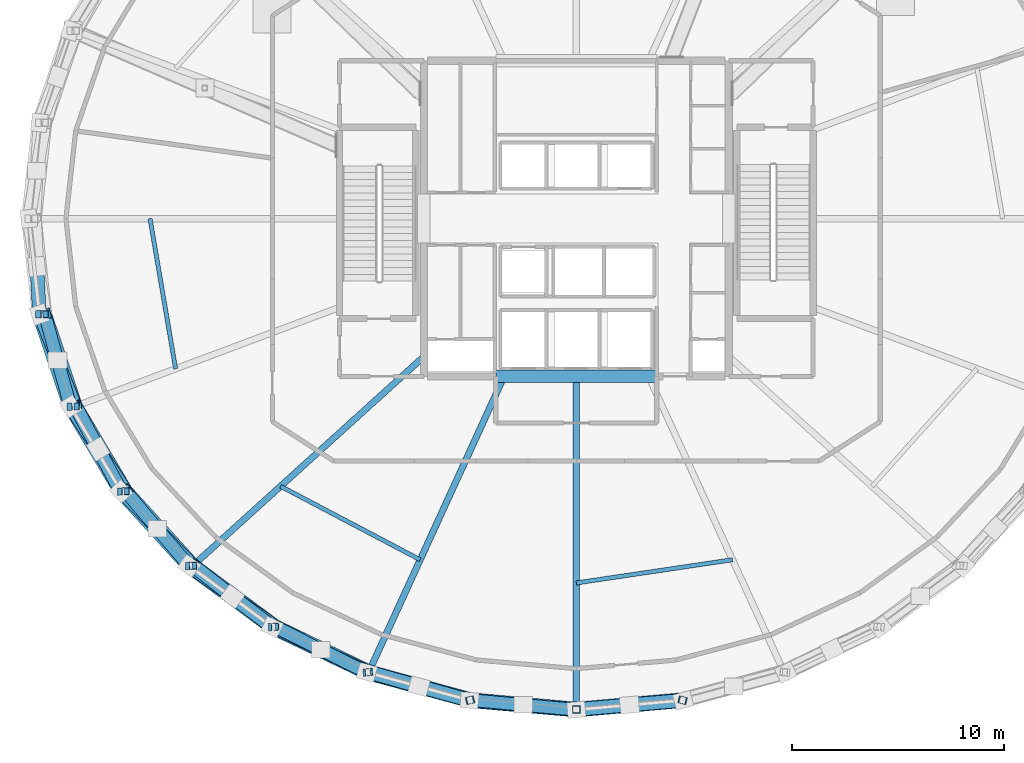
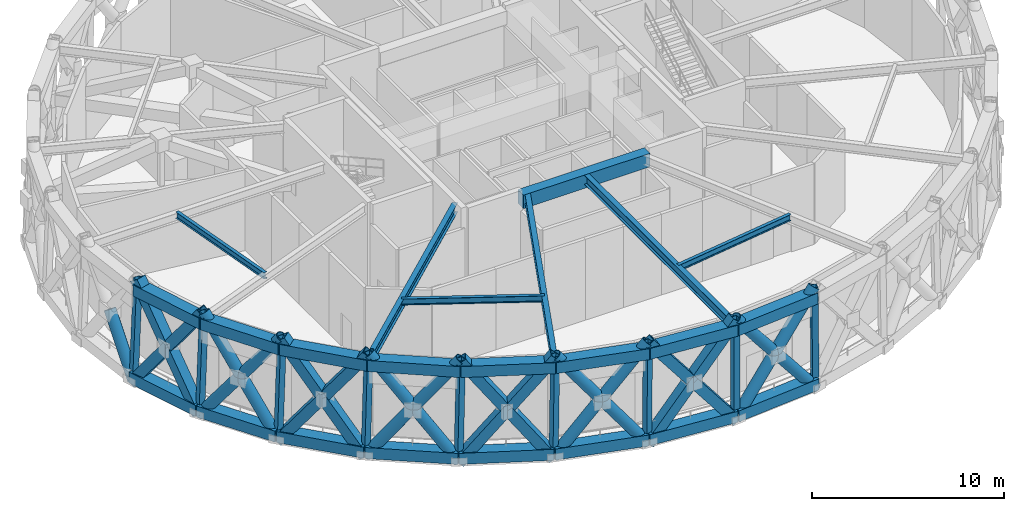
# One storey, part 1 of 15: 34 members, 23 beams.
"""IFC4 building model written with IfcOpenShell, lengths in metres."""

from ifc_helpers import new_model, si_unit, direction, frame, origin, origin_2d, place, context, subcontext, project, spatial, rectangle, hollow_rectangle, hollow_circle, i_section, extrude, material, material_profile, profile_set, type_object, element, save


model = new_model("IFC4")

# Units and contexts
model_context = context("Model", 3, precision=1e-05, world=origin(), true_north=direction((0.0, 1.0)))
body_context = subcontext(model_context, "Body", "Model", "MODEL_VIEW")
ifc_project = project(units=[si_unit("LENGTHUNIT", "METRE"), si_unit("AREAUNIT", "SQUARE_METRE"), si_unit("VOLUMEUNIT", "CUBIC_METRE"), si_unit("PLANEANGLEUNIT", "RADIAN"), si_unit("MASSUNIT", "GRAM", prefix="KILO")], contexts=[model_context])

# Site, building, storey
site_placement = place(None, origin())
site = spatial("IfcSite", under=ifc_project, at=site_placement, CompositionType="ELEMENT")
building_placement = place(site_placement, origin())
building = spatial("IfcBuilding", under=site, at=building_placement, Name="Veldorina Hangang Commons", CompositionType="ELEMENT")
storey_placement = place(building_placement, frame((0.0, 0.0, 208.39990234375)))
storey = spatial("IfcBuildingStorey", under=building, at=storey_placement, Name="L54", CompositionType="ELEMENT", Elevation=208.39990234375)

# Beams
ifc_material_1 = material(Name="Steel SM460-TMC", Category="steel")
ifc_material_profile_1 = material_profile(ifc_material_1, hollow_rectangle(XDim=0.699951171875, YDim=0.699951171875, WallThickness=0.034912109375, at=origin_2d()), Name="BOX-700x700x35")
ifc_profile_set_1 = profile_set([ifc_material_profile_1], Name="Steel SM460-TMC")
beam_type_1 = type_object("IfcBeamType", Name="BM-BLT700", PredefinedType="BEAM", material=ifc_profile_set_1)
beam_1_placement = place(storey_placement, frame((6.87841796875, 19.477783203125, 5.81005859375), z_axis=(0.317760524963, -0.948171001864, 0.0), x_axis=(0.948171001864, 0.317760524963, 0.0)))
element("IfcBeam", 1, at=beam_1_placement, inside=storey, type_object=beam_type_1, Name="L54 perimeter hoop ring beam 17", PredefinedType="BEAM", context=body_context, shape_type="SweptSolid", body=[
    extrude(hollow_rectangle(XDim=0.699951171875, YDim=0.699951171875, WallThickness=0.034912109375, at=origin_2d()), origin(), (0.0, 0.0, 1.0), 4.586181640625),
])
beam_2_placement = place(storey_placement, frame((8.335693359375, 15.12939453125, 5.81005859375), z_axis=(0.508582629605, -0.861013187393, 0.0), x_axis=(0.861013187393, 0.508582629605, 0.0)))
element("IfcBeam", 2, at=beam_2_placement, inside=storey, type_object=beam_type_1, Name="L54 perimeter hoop ring beam 18", PredefinedType="BEAM", context=body_context, shape_type="SweptSolid", body=[
    extrude(hollow_rectangle(XDim=0.699951171875, YDim=0.699951171875, WallThickness=0.034912109375, at=origin_2d()), origin(), (0.0, 0.0, 1.0), 4.654541015625),
])
beam_3_placement = place(storey_placement, frame((10.702880859375, 11.121826171875, 5.81005859375), z_axis=(0.67176763512, -0.740761935041, 0.0), x_axis=(0.740761935041, 0.67176763512, 0.0)))
element("IfcBeam", 3, at=beam_3_placement, inside=storey, type_object=beam_type_1, Name="L54 perimeter hoop ring beam 19", PredefinedType="BEAM", context=body_context, shape_type="SweptSolid", body=[
    extrude(hollow_rectangle(XDim=0.699951171875, YDim=0.699951171875, WallThickness=0.034912109375, at=origin_2d()), origin(), (0.0, 0.0, 1.0), 4.74169921875),
])
beam_4_placement = place(storey_placement, frame((13.88818359375, 7.609375, 5.81005859375), z_axis=(0.802808760637, -0.596236608944, 0.0), x_axis=(0.596236608944, 0.802808760637, 0.0)))
element("IfcBeam", 4, at=beam_4_placement, inside=storey, type_object=beam_type_1, Name="L54 perimeter hoop ring beam 20", PredefinedType="BEAM", context=body_context, shape_type="SweptSolid", body=[
    extrude(hollow_rectangle(XDim=0.699951171875, YDim=0.699951171875, WallThickness=0.034912109375, at=origin_2d()), origin(), (0.0, 0.0, 1.0), 4.8349609375),
])
beam_5_placement = place(storey_placement, frame((17.769775390625, 4.7265625, 5.81005859375), z_axis=(0.90022640721, -0.435422112165, 0.0), x_axis=(0.435422112165, 0.90022640721, 0.0)))
element("IfcBeam", 5, at=beam_5_placement, inside=storey, type_object=beam_type_1, Name="L54 perimeter hoop ring beam 21", PredefinedType="BEAM", context=body_context, shape_type="SweptSolid", body=[
    extrude(hollow_rectangle(XDim=0.699951171875, YDim=0.699951171875, WallThickness=0.034912109375, at=origin_2d()), origin(), (0.0, 0.0, 1.0), 4.9189453125),
])
beam_6_placement = place(storey_placement, frame((22.197998046875, 2.584716796875, 5.81005859375), z_axis=(0.964308978563, -0.264779519341, 0.0), x_axis=(0.264779519341, 0.964308978563, 0.0)))
element("IfcBeam", 6, at=beam_6_placement, inside=storey, type_object=beam_type_1, Name="L54 perimeter hoop ring beam 22", PredefinedType="BEAM", context=body_context, shape_type="SweptSolid", body=[
    extrude(hollow_rectangle(XDim=0.699951171875, YDim=0.699951171875, WallThickness=0.034912109375, at=origin_2d()), origin(), (0.0, 0.0, 1.0), 4.982666015625),
])
for number, where, z_axis, x_axis, name in (
    (7, (27.0029296875, 1.265380859375, 5.81005859375), (0.996052778177, -0.088762960103, 0.0), (0.088762960103, 0.996052778177, 0.0), "L54 perimeter hoop ring beam 23"),
    (8, (32.0, 0.820068359375, 5.81005859375), (0.996052778177, 0.088762960103, 0.0), (-0.088762960103, 0.996052778177, 0.0), "L54 perimeter hoop ring beam 24"),
):
    element("IfcBeam", number, at=place(storey_placement, frame(where, z_axis=z_axis, x_axis=x_axis)), inside=storey, type_object=beam_type_1, Name=name, PredefinedType="BEAM", context=body_context, shape_type="SweptSolid", body=[
        extrude(hollow_rectangle(XDim=0.699951171875, YDim=0.699951171875, WallThickness=0.034912109375, at=origin_2d()), origin(), (0.0, 0.0, 1.0), 5.016845703125),
    ])
beam_7_placement = place(storey_placement, frame((6.6474609375, 19.4755859375, 0.35009765625), z_axis=(0.32030776452, -0.947313536263, 0.0), x_axis=(0.947313536263, 0.32030776452, 0.0)))
element("IfcBeam", 9, at=beam_7_placement, inside=storey, type_object=beam_type_1, Name="L54 perimeter belt truss bottom chord 17", PredefinedType="BEAM", context=body_context, shape_type="SweptSolid", body=[
    extrude(hollow_rectangle(XDim=0.699951171875, YDim=0.699951171875, WallThickness=0.034912109375, at=origin_2d()), origin(), (0.0, 0.0, 1.0), 4.59228515625),
])
beam_8_placement = place(storey_placement, frame((8.118408203125, 15.125244140625, 0.35009765625), z_axis=(0.511808460899, -0.8590995864, 0.0), x_axis=(0.8590995864, 0.511808460899, 0.0)))
element("IfcBeam", 10, at=beam_8_placement, inside=storey, type_object=beam_type_1, Name="L54 perimeter belt truss bottom chord 18", PredefinedType="BEAM", context=body_context, shape_type="SweptSolid", body=[
    extrude(hollow_rectangle(XDim=0.699951171875, YDim=0.699951171875, WallThickness=0.034912109375, at=origin_2d()), origin(), (0.0, 0.0, 1.0), 4.667236328125),
])
beam_9_placement = place(storey_placement, frame((10.507080078125, 11.11572265625, 0.35009765625), z_axis=(0.674986151798, -0.737830397097, 0.0), x_axis=(0.737830397097, 0.674986151798, 0.0)))
element("IfcBeam", 11, at=beam_9_placement, inside=storey, type_object=beam_type_1, Name="L54 perimeter belt truss bottom chord 19", PredefinedType="BEAM", context=body_context, shape_type="SweptSolid", body=[
    extrude(hollow_rectangle(XDim=0.699951171875, YDim=0.699951171875, WallThickness=0.034912109375, at=origin_2d()), origin(), (0.0, 0.0, 1.0), 4.762939453125),
])
beam_10_placement = place(storey_placement, frame((13.721923828125, 7.6015625, 0.35009765625), z_axis=(0.805268985683, -0.592909656437, 0.0), x_axis=(0.592909656437, 0.805268985683, 0.0)))
element("IfcBeam", 12, at=beam_10_placement, inside=storey, type_object=beam_type_1, Name="L54 perimeter belt truss bottom chord 20", PredefinedType="BEAM", context=body_context, shape_type="SweptSolid", body=[
    extrude(hollow_rectangle(XDim=0.699951171875, YDim=0.699951171875, WallThickness=0.034912109375, at=origin_2d()), origin(), (0.0, 0.0, 1.0), 4.8642578125),
])
beam_11_placement = place(storey_placement, frame((17.638916015625, 4.717529296875, 0.35009765625), z_axis=(0.901684415372, -0.432394744504, 0.0), x_axis=(0.432394744504, 0.901684415372, 0.0)))
element("IfcBeam", 13, at=beam_11_placement, inside=storey, type_object=beam_type_1, Name="L54 perimeter belt truss bottom chord 21", PredefinedType="BEAM", context=body_context, shape_type="SweptSolid", body=[
    extrude(hollow_rectangle(XDim=0.699951171875, YDim=0.699951171875, WallThickness=0.034912109375, at=origin_2d()), origin(), (0.0, 0.0, 1.0), 4.956298828125),
])
beam_12_placement = place(storey_placement, frame((22.10791015625, 2.574462890625, 0.35009765625), z_axis=(0.964898224681, -0.262624096396, 0.0), x_axis=(0.262624096396, 0.964898224681, 0.0)))
element("IfcBeam", 14, at=beam_12_placement, inside=storey, type_object=beam_type_1, Name="L54 perimeter belt truss bottom chord 22", PredefinedType="BEAM", context=body_context, shape_type="SweptSolid", body=[
    extrude(hollow_rectangle(XDim=0.699951171875, YDim=0.699951171875, WallThickness=0.034912109375, at=origin_2d()), origin(), (0.0, 0.0, 1.0), 5.025634765625),
])
for number, where, z_axis, x_axis, name in (
    (15, (26.95703125, 1.254638671875, 0.35009765625), (0.99611966037, -0.088009216701, 0.0), (0.088009216701, 0.99611966037, 0.0), "L54 perimeter belt truss bottom chord 23"),
    (16, (32.0, 0.80908203125, 0.35009765625), (0.99611966037, 0.088009216701, 0.0), (-0.088009216701, 0.99611966037, 0.0), "L54 perimeter belt truss bottom chord 24"),
):
    element("IfcBeam", number, at=place(storey_placement, frame(where, z_axis=z_axis, x_axis=x_axis)), inside=storey, type_object=beam_type_1, Name=name, PredefinedType="BEAM", context=body_context, shape_type="SweptSolid", body=[
        extrude(hollow_rectangle(XDim=0.699951171875, YDim=0.699951171875, WallThickness=0.034912109375, at=origin_2d()), origin(), (0.0, 0.0, 1.0), 5.0625),
    ])
ifc_material_2 = material(Name="Concrete C60/75", Category="concrete")
ifc_material_profile_2 = material_profile(ifc_material_2, rectangle(XDim=0.60009765625, YDim=0.85009765625, at=origin_2d()), Name="RC-CB-600x850")
ifc_profile_set_2 = profile_set([ifc_material_profile_2], Name="Concrete C60/75")
beam_type_2 = type_object("IfcBeamType", Name="BM-CB850", PredefinedType="LINTEL", material=ifc_profile_set_2)
beam_13_placement = place(storey_placement, frame((28.199951171875, 16.550048828125, 5.735107421875), z_axis=(1.0, 0.0, 0.0), x_axis=(0.0, 1.0, 0.0)))
element("IfcBeam", 17, at=beam_13_placement, inside=storey, type_object=beam_type_2, Name="L54 south core coupling beam", PredefinedType="LINTEL", context=body_context, shape_type="SweptSolid", body=[
    extrude(rectangle(XDim=0.60009765625, YDim=0.85009765625, at=origin_2d()), origin(), (0.0, 0.0, 1.0), 7.60009765625),
])
ifc_material_profile_3 = material_profile(ifc_material_1, i_section(OverallWidth=0.300048828125, OverallDepth=0.587890625, WebThickness=0.011962890625, FlangeThickness=0.02001953125, FilletRadius=0.01806640625, at=origin_2d()), Name="H-588x300x12x20")
ifc_profile_set_3 = profile_set([ifc_material_profile_3], Name="Steel SM460-TMC")
beam_type_3 = type_object("IfcBeamType", Name="BM-FG588", PredefinedType="BEAM", material=ifc_profile_set_3)
beam_14_placement = place(storey_placement, frame((24.800048828125, 17.484130859375, 5.8662109375), z_axis=(-0.741464245952, -0.670992378477, 0.0), x_axis=(0.670992378477, -0.741464245952, 0.0)))
element("IfcBeam", 18, at=beam_14_placement, inside=storey, type_object=beam_type_3, Name="L54 radial floor girder 11", PredefinedType="BEAM", context=body_context, shape_type="SweptSolid", body=[
    extrude(i_section(OverallWidth=0.300048828125, OverallDepth=0.587890625, WebThickness=0.011962890625, FlangeThickness=0.02001953125, FilletRadius=0.01806640625, at=origin_2d()), origin(), (0.0, 0.0, 1.0), 14.716552734375),
])
beam_15_placement = place(storey_placement, frame((28.590087890625, 16.550048828125, 5.8662109375), z_axis=(-0.416187219307, -0.909278944266, 0.0), x_axis=(0.909278944266, -0.416187219307, 0.0)))
element("IfcBeam", 19, at=beam_15_placement, inside=storey, type_object=beam_type_3, Name="L54 radial floor girder 12", PredefinedType="BEAM", context=body_context, shape_type="SweptSolid", body=[
    extrude(i_section(OverallWidth=0.300048828125, OverallDepth=0.587890625, WebThickness=0.011962890625, FlangeThickness=0.02001953125, FilletRadius=0.01806640625, at=origin_2d()), origin(), (0.0, 0.0, 1.0), 15.358642578125),
])
beam_16_placement = place(storey_placement, frame((32.0, 16.550048828125, 5.8662109375), z_axis=(0.0, -1.0, 0.0), x_axis=(1.0, 0.0, 0.0)))
element("IfcBeam", 20, at=beam_16_placement, inside=storey, type_object=beam_type_3, Name="L54 radial floor girder 13", PredefinedType="BEAM", context=body_context, shape_type="SweptSolid", body=[
    extrude(i_section(OverallWidth=0.300048828125, OverallDepth=0.587890625, WebThickness=0.011962890625, FlangeThickness=0.02001953125, FilletRadius=0.01806640625, at=origin_2d()), origin(), (0.0, 0.0, 1.0), 15.72998046875),
])
ifc_material_3 = material(Name="Steel SM355-TMC", Category="steel")
ifc_material_profile_4 = material_profile(ifc_material_3, i_section(OverallWidth=0.199951171875, OverallDepth=0.39990234375, WebThickness=0.008056640625, FlangeThickness=0.012939453125, FilletRadius=0.012939453125, at=origin_2d()), Name="H-400x200x8x13")
ifc_profile_set_4 = profile_set([ifc_material_profile_4], Name="Steel SM355-TMC")
beam_type_4 = type_object("IfcBeamType", Name="BM-JST400", PredefinedType="JOIST", material=ifc_profile_set_4)
beam_17_placement = place(storey_placement, frame((11.87109375, 24.0, 5.960205078125), z_axis=(0.168007741191, -0.985785675946, 0.0), x_axis=(0.985785675946, 0.168007741191, 0.0)))
element("IfcBeam", 21, at=beam_17_placement, inside=storey, type_object=beam_type_4, Name="L54 secondary floor joist 09", PredefinedType="JOIST", context=body_context, shape_type="SweptSolid", body=[
    extrude(i_section(OverallWidth=0.199951171875, OverallDepth=0.39990234375, WebThickness=0.008056640625, FlangeThickness=0.012939453125, FilletRadius=0.012939453125, at=origin_2d()), origin(), (0.0, 0.0, 1.0), 7.194580078125),
])
beam_18_placement = place(storey_placement, frame((18.03466796875, 11.36181640625, 5.960205078125), z_axis=(0.884885520178, -0.465808561729, 0.0), x_axis=(0.465808561729, 0.884885520178, 0.0)))
element("IfcBeam", 22, at=beam_18_placement, inside=storey, type_object=beam_type_4, Name="L54 secondary floor joist 11", PredefinedType="JOIST", context=body_context, shape_type="SweptSolid", body=[
    extrude(i_section(OverallWidth=0.199951171875, OverallDepth=0.39990234375, WebThickness=0.008056640625, FlangeThickness=0.012939453125, FilletRadius=0.012939453125, at=origin_2d()), origin(), (0.0, 0.0, 1.0), 7.449951171875),
])
beam_19_placement = place(storey_placement, frame((32.0, 6.797607421875, 5.960205078125), z_axis=(0.98917055156, 0.146770637137, 0.0), x_axis=(-0.146770637137, 0.98917055156, 0.0)))
element("IfcBeam", 23, at=beam_19_placement, inside=storey, type_object=beam_type_4, Name="L54 secondary floor joist 13", PredefinedType="JOIST", context=body_context, shape_type="SweptSolid", body=[
    extrude(i_section(OverallWidth=0.199951171875, OverallDepth=0.39990234375, WebThickness=0.008056640625, FlangeThickness=0.012939453125, FilletRadius=0.012939453125, at=origin_2d()), origin(), (0.0, 0.0, 1.0), 7.453857421875),
])

# Members
ifc_material_profile_5 = material_profile(ifc_material_1, hollow_circle(Radius=0.324951171875, WallThickness=0.031982421875, at=origin_2d()), Name="CHS-650x32")
ifc_profile_set_5 = profile_set([ifc_material_profile_5], Name="Steel SM460-TMC")
member_type_1 = type_object("IfcMemberType", Name="DG-CHS650", PredefinedType="BRACE", material=ifc_profile_set_5)
member_1_placement = place(storey_placement, frame((6.6474609375, 19.4755859375, 0.0), z_axis=(-0.030875639264, 0.576926259478, 0.816212463777), x_axis=(-0.998571008565, -0.05344100348, 0.0)))
element("IfcMember", 24, at=member_1_placement, inside=storey, type_object=member_type_1, Name="L54 split perimeter diagrid lower brace 17", PredefinedType="BRACE", context=body_context, shape_type="SweptSolid", body=[
    extrude(hollow_circle(Radius=0.324951171875, WallThickness=0.031982421875, at=origin_2d()), origin(), (0.0, 0.0, 1.0), 3.921875),
])
member_2_placement = place(storey_placement, frame((8.118408203125, 15.125244140625, 0.0), z_axis=(0.326129097958, -0.501254950878, 0.801488169398), x_axis=(0.838204080707, 0.545356689778, 0.0)))
element("IfcMember", 25, at=member_2_placement, inside=storey, type_object=member_type_1, Name="L54 continuous perimeter diagrid brace 18", PredefinedType="BRACE", context=body_context, shape_type="SweptSolid", body=[
    extrude(hollow_circle(Radius=0.324951171875, WallThickness=0.031982421875, at=origin_2d()), origin(), (0.0, 0.0, 1.0), 7.9853515625),
])
member_3_placement = place(storey_placement, frame((10.507080078125, 11.11572265625, 0.0), z_axis=(-0.275744893322, 0.509836291953, 0.814881408068), x_axis=(-0.879592670679, -0.475727583484, 0.0)))
element("IfcMember", 26, at=member_3_placement, inside=storey, type_object=member_type_1, Name="L54 split perimeter diagrid lower brace 19", PredefinedType="BRACE", context=body_context, shape_type="SweptSolid", body=[
    extrude(hollow_circle(Radius=0.324951171875, WallThickness=0.031982421875, at=origin_2d()), origin(), (0.0, 0.0, 1.0), 3.932861328125),
])
member_4_placement = place(storey_placement, frame((9.422607421875, 13.120849609375, 3.204833984375), z_axis=(-0.27148795092, 0.512284876891, 0.814775120762), x_axis=(-0.883589338061, -0.468262620401, 0.0)))
element("IfcMember", 27, at=member_4_placement, inside=storey, type_object=member_type_1, Name="L54 split perimeter diagrid upper brace 19", PredefinedType="BRACE", context=body_context, shape_type="SweptSolid", body=[
    extrude(hollow_circle(Radius=0.324951171875, WallThickness=0.031982421875, at=origin_2d()), origin(), (0.0, 0.0, 1.0), 3.921630859375),
])
member_5_placement = place(storey_placement, frame((13.721923828125, 7.6015625, 0.0), z_axis=(0.500965886526, -0.354537117722, 0.78951669564), x_axis=(0.577676905901, 0.816265515864, 0.0)))
element("IfcMember", 28, at=member_5_placement, inside=storey, type_object=member_type_1, Name="L54 continuous perimeter diagrid brace 20", PredefinedType="BRACE", context=body_context, shape_type="SweptSolid", body=[
    extrude(hollow_circle(Radius=0.324951171875, WallThickness=0.031982421875, at=origin_2d()), origin(), (0.0, 0.0, 1.0), 8.1064453125),
])
member_6_placement = place(storey_placement, frame((17.638916015625, 4.717529296875, 0.0), z_axis=(-0.471068784826, 0.361423991683, 0.80465327825), x_axis=(-0.608719237362, -0.793385713298, 0.0)))
element("IfcMember", 29, at=member_6_placement, inside=storey, type_object=member_type_1, Name="L54 split perimeter diagrid lower brace 21", PredefinedType="BRACE", context=body_context, shape_type="SweptSolid", body=[
    extrude(hollow_circle(Radius=0.324951171875, WallThickness=0.031982421875, at=origin_2d()), origin(), (0.0, 0.0, 1.0), 3.990234375),
])
member_7_placement = place(storey_placement, frame((15.75927734375, 6.15966796875, 3.210693359375), z_axis=(-0.467752228649, 0.36588755634, 0.804570785394), x_axis=(-0.616120891502, -0.787651602585, 0.0)))
element("IfcMember", 30, at=member_7_placement, inside=storey, type_object=member_type_1, Name="L54 split perimeter diagrid upper brace 21", PredefinedType="BRACE", context=body_context, shape_type="SweptSolid", body=[
    extrude(hollow_circle(Radius=0.324951171875, WallThickness=0.031982421875, at=origin_2d()), origin(), (0.0, 0.0, 1.0), 3.964111328125),
])
member_8_placement = place(storey_placement, frame((22.10791015625, 2.574462890625, 0.0), z_axis=(0.600027505092, -0.160164798683, 0.783782004384), x_axis=(0.257899360088, 0.966171786002, 0.0)))
element("IfcMember", 31, at=member_8_placement, inside=storey, type_object=member_type_1, Name="L54 continuous perimeter diagrid brace 22", PredefinedType="BRACE", context=body_context, shape_type="SweptSolid", body=[
    extrude(hollow_circle(Radius=0.324951171875, WallThickness=0.031982421875, at=origin_2d()), origin(), (0.0, 0.0, 1.0), 8.165771484375),
])
member_9_placement = place(storey_placement, frame((26.95703125, 1.254638671875, 0.0), z_axis=(-0.58821581307, 0.163293040131, 0.792046425595), x_axis=(-0.267491417133, -0.963560242932, 0.0)))
element("IfcMember", 32, at=member_9_placement, inside=storey, type_object=member_type_1, Name="L54 split perimeter diagrid lower brace 23", PredefinedType="BRACE", context=body_context, shape_type="SweptSolid", body=[
    extrude(hollow_circle(Radius=0.324951171875, WallThickness=0.031982421875, at=origin_2d()), origin(), (0.0, 0.0, 1.0), 4.059326171875),
])
member_10_placement = place(storey_placement, frame((24.5693359375, 1.91748046875, 3.215087890625), z_axis=(-0.587434634778, 0.16616459233, 0.79202896293), x_axis=(-0.27218522416, -0.962244877227, 0.0)))
element("IfcMember", 33, at=member_10_placement, inside=storey, type_object=member_type_1, Name="L54 split perimeter diagrid upper brace 23", PredefinedType="BRACE", context=body_context, shape_type="SweptSolid", body=[
    extrude(hollow_circle(Radius=0.324951171875, WallThickness=0.031982421875, at=origin_2d()), origin(), (0.0, 0.0, 1.0), 4.021484375),
])
member_11_placement = place(storey_placement, frame((32.0, 0.80908203125, 0.0), z_axis=(0.614081397702, 0.056276030089, 0.787233793376), x_axis=(-0.091260205848, 0.995827080787, 0.0)))
element("IfcMember", 34, at=member_11_placement, inside=storey, type_object=member_type_1, Name="L54 continuous perimeter diagrid brace 24", PredefinedType="BRACE", context=body_context, shape_type="SweptSolid", body=[
    extrude(hollow_circle(Radius=0.324951171875, WallThickness=0.031982421875, at=origin_2d()), origin(), (0.0, 0.0, 1.0), 8.1298828125),
])
member_12_placement = place(storey_placement, frame((37.04296875, 1.254638671875, 0.0), z_axis=(-0.618063003245, -0.052577035825, 0.784368395159), x_axis=(0.084761303942, -0.996401285303, 0.0)))
element("IfcMember", 35, at=member_12_placement, inside=storey, type_object=member_type_1, Name="L54 split perimeter diagrid lower brace 25", PredefinedType="BRACE", context=body_context, shape_type="SweptSolid", body=[
    extrude(hollow_circle(Radius=0.324951171875, WallThickness=0.031982421875, at=origin_2d()), origin(), (0.0, 0.0, 1.0), 4.10009765625),
])
member_13_placement = place(storey_placement, frame((34.5087890625, 1.0390625, 3.216064453125), z_axis=(-0.617999087535, -0.053644918848, 0.784346447998), x_axis=(0.086479007054, -0.996253673187, 0.0)))
element("IfcMember", 36, at=member_13_placement, inside=storey, type_object=member_type_1, Name="L54 split perimeter diagrid upper brace 25", PredefinedType="BRACE", context=body_context, shape_type="SweptSolid", body=[
    extrude(hollow_circle(Radius=0.324951171875, WallThickness=0.031982421875, at=origin_2d()), origin(), (0.0, 0.0, 1.0), 4.0595703125),
])
ifc_material_profile_6 = material_profile(ifc_material_1, hollow_rectangle(XDim=0.60009765625, YDim=0.60009765625, WallThickness=0.030029296875, at=origin_2d()), Name="BOX-600x600x30")
ifc_profile_set_6 = profile_set([ifc_material_profile_6], Name="Steel SM460-TMC")
member_type_2 = type_object("IfcMemberType", Name="OR-BOX600", PredefinedType="BRACE", material=ifc_profile_set_6)
member_14_placement = place(storey_placement, frame((6.6474609375, 19.4755859375, 0.0), z_axis=(0.215886240323, -0.548497727342, 0.807801568666), x_axis=(0.930517475163, 0.366247496123, 0.0)))
element("IfcMember", 37, at=member_14_placement, inside=storey, type_object=member_type_2, Name="L54 belt truss continuous brace 17", PredefinedType="BRACE", context=body_context, shape_type="SweptSolid", body=[
    extrude(hollow_rectangle(XDim=0.60009765625, YDim=0.60009765625, WallThickness=0.030029296875, at=origin_2d()), origin(), (0.0, 0.0, 1.0), 7.9228515625),
])
member_15_placement = place(storey_placement, frame((8.118408203125, 15.125244140625, 0.0), z_axis=(-0.156879366812, 0.555025373968, 0.816906174858), x_axis=(-0.962298344627, -0.271996132194, 0.0)))
element("IfcMember", 38, at=member_15_placement, inside=storey, type_object=member_type_2, Name="L54 belt truss split lower brace 18", PredefinedType="BRACE", context=body_context, shape_type="SweptSolid", body=[
    extrude(hollow_rectangle(XDim=0.60009765625, YDim=0.60009765625, WallThickness=0.030029296875, at=origin_2d()), origin(), (0.0, 0.0, 1.0), 3.920166015625),
])
member_16_placement = place(storey_placement, frame((7.50341796875, 17.301025390625, 3.202392578125), z_axis=(-0.153718603645, 0.556068474117, 0.816797675674), x_axis=(-0.963850110081, -0.266445051177, 0.0)))
element("IfcMember", 39, at=member_16_placement, inside=storey, type_object=member_type_2, Name="L54 belt truss split upper brace 18", PredefinedType="BRACE", context=body_context, shape_type="SweptSolid", body=[
    extrude(hollow_rectangle(XDim=0.60009765625, YDim=0.60009765625, WallThickness=0.030029296875, at=origin_2d()), origin(), (0.0, 0.0, 1.0), 3.9150390625),
])
member_17_placement = place(storey_placement, frame((10.507080078125, 11.11572265625, 0.0), z_axis=(0.422122520632, -0.435497720489, 0.795081324786), x_axis=(0.718047297513, 0.695994309269, 0.0)))
element("IfcMember", 40, at=member_17_placement, inside=storey, type_object=member_type_2, Name="L54 belt truss continuous brace 19", PredefinedType="BRACE", context=body_context, shape_type="SweptSolid", body=[
    extrude(hollow_rectangle(XDim=0.60009765625, YDim=0.60009765625, WallThickness=0.030029296875, at=origin_2d()), origin(), (0.0, 0.0, 1.0), 8.049560546875),
])
member_18_placement = place(storey_placement, frame((13.721923828125, 7.6015625, 0.0), z_axis=(-0.381962318224, 0.44395717123, 0.810559570649), x_axis=(-0.75805083705, -0.652195467975, 0.0)))
element("IfcMember", 41, at=member_18_placement, inside=storey, type_object=member_type_2, Name="L54 belt truss split lower brace 20", PredefinedType="BRACE", context=body_context, shape_type="SweptSolid", body=[
    extrude(hollow_rectangle(XDim=0.60009765625, YDim=0.60009765625, WallThickness=0.030029296875, at=origin_2d()), origin(), (0.0, 0.0, 1.0), 3.957763671875),
])
member_19_placement = place(storey_placement, frame((12.210205078125, 9.358642578125, 3.2080078125), z_axis=(-0.377667861452, 0.447833628588, 0.810439403985), x_axis=(-0.764452795061, -0.644679706617, 0.0)))
element("IfcMember", 42, at=member_19_placement, inside=storey, type_object=member_type_2, Name="L54 belt truss split upper brace 20", PredefinedType="BRACE", context=body_context, shape_type="SweptSolid", body=[
    extrude(hollow_rectangle(XDim=0.60009765625, YDim=0.60009765625, WallThickness=0.030029296875, at=origin_2d()), origin(), (0.0, 0.0, 1.0), 3.938720703125),
])
member_20_placement = place(storey_placement, frame((17.638916015625, 4.717529296875, 0.0), z_axis=(0.560708515037, -0.261669967041, 0.785579270038), x_axis=(0.422893419197, 0.906179428149, 0.0)))
element("IfcMember", 43, at=member_20_placement, inside=storey, type_object=member_type_2, Name="L54 belt truss continuous brace 21", PredefinedType="BRACE", context=body_context, shape_type="SweptSolid", body=[
    extrude(hollow_rectangle(XDim=0.60009765625, YDim=0.60009765625, WallThickness=0.030029296875, at=origin_2d()), origin(), (0.0, 0.0, 1.0), 8.14697265625),
])
member_21_placement = place(storey_placement, frame((22.10791015625, 2.574462890625, 0.0), z_axis=(-0.540314078762, 0.266457919425, 0.798160932061), x_axis=(-0.442294702411, -0.896869776623, 0.0)))
element("IfcMember", 44, at=member_21_placement, inside=storey, type_object=member_type_2, Name="L54 belt truss split lower brace 22", PredefinedType="BRACE", context=body_context, shape_type="SweptSolid", body=[
    extrude(hollow_rectangle(XDim=0.60009765625, YDim=0.60009765625, WallThickness=0.030029296875, at=origin_2d()), origin(), (0.0, 0.0, 1.0), 4.02587890625),
])
member_22_placement = place(storey_placement, frame((19.9326171875, 3.647216796875, 3.21337890625), z_axis=(-0.538364015959, 0.270557725226, 0.798099432177), x_axis=(-0.449039263321, -0.893512025659, 0.0)))
element("IfcMember", 45, at=member_22_placement, inside=storey, type_object=member_type_2, Name="L54 belt truss split upper brace 22", PredefinedType="BRACE", context=body_context, shape_type="SweptSolid", body=[
    extrude(hollow_rectangle(XDim=0.60009765625, YDim=0.60009765625, WallThickness=0.030029296875, at=origin_2d()), origin(), (0.0, 0.0, 1.0), 3.992919921875),
])
member_23_placement = place(storey_placement, frame((26.95703125, 1.254638671875, 0.0), z_axis=(0.61803129309, -0.053108324227, 0.784357588514), x_axis=(0.085615926733, 0.996328215544, 0.0)))
element("IfcMember", 46, at=member_23_placement, inside=storey, type_object=member_type_2, Name="L54 belt truss continuous brace 23", PredefinedType="BRACE", context=body_context, shape_type="SweptSolid", body=[
    extrude(hollow_rectangle(XDim=0.60009765625, YDim=0.60009765625, WallThickness=0.030029296875, at=origin_2d()), origin(), (0.0, 0.0, 1.0), 8.15966796875),
])
member_24_placement = place(storey_placement, frame((32.0, 0.80908203125, 0.0), z_axis=(-0.614114387902, 0.055757952891, 0.7872449233), x_axis=(-0.090422147795, -0.995903527049, 0.0)))
element("IfcMember", 47, at=member_24_placement, inside=storey, type_object=member_type_2, Name="L54 belt truss split lower brace 24", PredefinedType="BRACE", context=body_context, shape_type="SweptSolid", body=[
    extrude(hollow_rectangle(XDim=0.60009765625, YDim=0.60009765625, WallThickness=0.030029296875, at=origin_2d()), origin(), (0.0, 0.0, 1.0), 4.085205078125),
])
member_25_placement = place(storey_placement, frame((29.4912109375, 1.036865234375, 3.216064453125), z_axis=(-0.614047909027, 0.056799280684, 0.787222336531), x_axis=(-0.092106552289, -0.995749156678, 0.0)))
element("IfcMember", 48, at=member_25_placement, inside=storey, type_object=member_type_2, Name="L54 belt truss split upper brace 24", PredefinedType="BRACE", context=body_context, shape_type="SweptSolid", body=[
    extrude(hollow_rectangle(XDim=0.60009765625, YDim=0.60009765625, WallThickness=0.030029296875, at=origin_2d()), origin(), (0.0, 0.0, 1.0), 4.044677734375),
])
ifc_material_profile_7 = material_profile(ifc_material_3, hollow_rectangle(XDim=0.35009765625, YDim=0.35009765625, WallThickness=0.01611328125, at=origin_2d()), Name="SHS-350x350x16")
ifc_profile_set_7 = profile_set([ifc_material_profile_7], Name="Steel SM355-TMC")
member_type_3 = type_object("IfcMemberType", Name="STR-SHS350", PredefinedType="STRUT", material=ifc_profile_set_7)
member_26_placement = place(storey_placement, frame((6.6474609375, 19.4755859375, 0.0), z_axis=(0.039678814495, 0.000381160562, 0.999212413052), x_axis=(-0.009605704747, 0.999953864154, 0.0)))
element("IfcMember", 49, at=member_26_placement, inside=storey, type_object=member_type_3, Name="L54 perimeter ring node post 17", PredefinedType="STRUT", context=body_context, shape_type="SweptSolid", body=[
    extrude(hollow_rectangle(XDim=0.35009765625, YDim=0.35009765625, WallThickness=0.01611328125, at=origin_2d()), origin(), (0.0, 0.0, 1.0), 6.4052734375),
])
member_27_placement = place(storey_placement, frame((8.118408203125, 15.125244140625, 0.0), z_axis=(0.037395139771, 0.000724268762, 0.999300294684), x_axis=(-0.019364360215, 0.999812493197, 0.0)))
element("IfcMember", 50, at=member_27_placement, inside=storey, type_object=member_type_3, Name="L54 perimeter ring node post 18", PredefinedType="STRUT", context=body_context, shape_type="SweptSolid", body=[
    extrude(hollow_rectangle(XDim=0.35009765625, YDim=0.35009765625, WallThickness=0.01611328125, at=origin_2d()), origin(), (0.0, 0.0, 1.0), 6.404541015625),
])
member_28_placement = place(storey_placement, frame((10.507080078125, 11.11572265625, 0.0), z_axis=(0.033663895534, 0.001067484796, 0.999432640358), x_axis=(-0.031694148584, 0.999497614277, 0.0)))
element("IfcMember", 51, at=member_28_placement, inside=storey, type_object=member_type_3, Name="L54 perimeter ring node post 19", PredefinedType="STRUT", context=body_context, shape_type="SweptSolid", body=[
    extrude(hollow_rectangle(XDim=0.35009765625, YDim=0.35009765625, WallThickness=0.01611328125, at=origin_2d()), origin(), (0.0, 0.0, 1.0), 6.40380859375),
])
member_29_placement = place(storey_placement, frame((13.721923828125, 7.6015625, 0.0), z_axis=(0.028597847807, 0.001334566231, 0.999590107011), x_axis=(-0.046615934699, 0.998912886408, 0.0)))
element("IfcMember", 52, at=member_29_placement, inside=storey, type_object=member_type_3, Name="L54 perimeter ring node post 20", PredefinedType="STRUT", context=body_context, shape_type="SweptSolid", body=[
    extrude(hollow_rectangle(XDim=0.35009765625, YDim=0.35009765625, WallThickness=0.01611328125, at=origin_2d()), origin(), (0.0, 0.0, 1.0), 6.40283203125),
])
member_30_placement = place(storey_placement, frame((17.638916015625, 4.717529296875, 0.0), z_axis=(0.02250047338, 0.001563592218, 0.999745609581), x_axis=(-0.069324340897, 0.99759417388, 0.0)))
element("IfcMember", 53, at=member_30_placement, inside=storey, type_object=member_type_3, Name="L54 perimeter ring node post 21", PredefinedType="STRUT", context=body_context, shape_type="SweptSolid", body=[
    extrude(hollow_rectangle(XDim=0.35009765625, YDim=0.35009765625, WallThickness=0.01611328125, at=origin_2d()), origin(), (0.0, 0.0, 1.0), 6.40185546875),
])
member_31_placement = place(storey_placement, frame((22.10791015625, 2.574462890625, 0.0), z_axis=(0.015485435551, 0.001754507476, 0.99987855412), x_axis=(-0.112580200727, 0.993642641197, 0.0)))
element("IfcMember", 54, at=member_31_placement, inside=storey, type_object=member_type_3, Name="L54 perimeter ring node post 22", PredefinedType="STRUT", context=body_context, shape_type="SweptSolid", body=[
    extrude(hollow_rectangle(XDim=0.35009765625, YDim=0.35009765625, WallThickness=0.01611328125, at=origin_2d()), origin(), (0.0, 0.0, 1.0), 6.40087890625),
])
member_32_placement = place(storey_placement, frame((26.95703125, 1.254638671875, 0.0), z_axis=(0.00789598266, 0.001869097345, 0.999967079425), x_axis=(-0.230349242414, 0.973108024075, 0.0)))
element("IfcMember", 55, at=member_32_placement, inside=storey, type_object=member_type_3, Name="L54 perimeter ring node post 23", PredefinedType="STRUT", context=body_context, shape_type="SweptSolid", body=[
    extrude(hollow_rectangle(XDim=0.35009765625, YDim=0.35009765625, WallThickness=0.01611328125, at=origin_2d()), origin(), (0.0, 0.0, 1.0), 6.400390625),
])
member_33_placement = place(storey_placement, frame((32.0, 0.80908203125, 0.0), z_axis=(0.0, 0.001907301509, 0.999998181099), x_axis=(-1.0, 0.0, 0.0)))
element("IfcMember", 56, at=member_33_placement, inside=storey, type_object=member_type_3, Name="L54 perimeter ring node post 24", PredefinedType="STRUT", context=body_context, shape_type="SweptSolid", body=[
    extrude(hollow_rectangle(XDim=0.35009765625, YDim=0.35009765625, WallThickness=0.01611328125, at=origin_2d()), origin(), (0.0, 0.0, 1.0), 6.400146484375),
])
member_34_placement = place(storey_placement, frame((37.04296875, 1.254638671875, 0.0), z_axis=(-0.00789598266, 0.001869097345, 0.999967079425), x_axis=(-0.230349242414, -0.973108024075, 0.0)))
element("IfcMember", 57, at=member_34_placement, inside=storey, type_object=member_type_3, Name="L54 perimeter ring node post 25", PredefinedType="STRUT", context=body_context, shape_type="SweptSolid", body=[
    extrude(hollow_rectangle(XDim=0.35009765625, YDim=0.35009765625, WallThickness=0.01611328125, at=origin_2d()), origin(), (0.0, 0.0, 1.0), 6.400390625),
])

save(model, "model.ifc")
